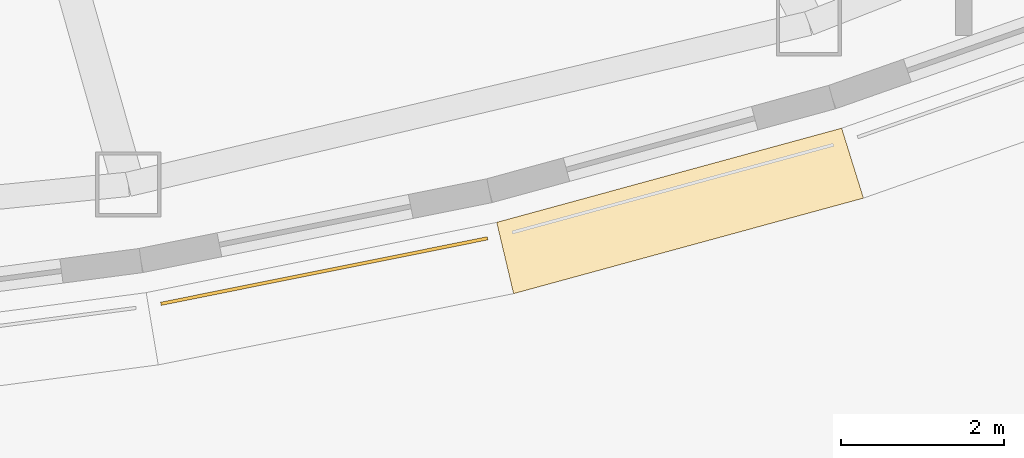
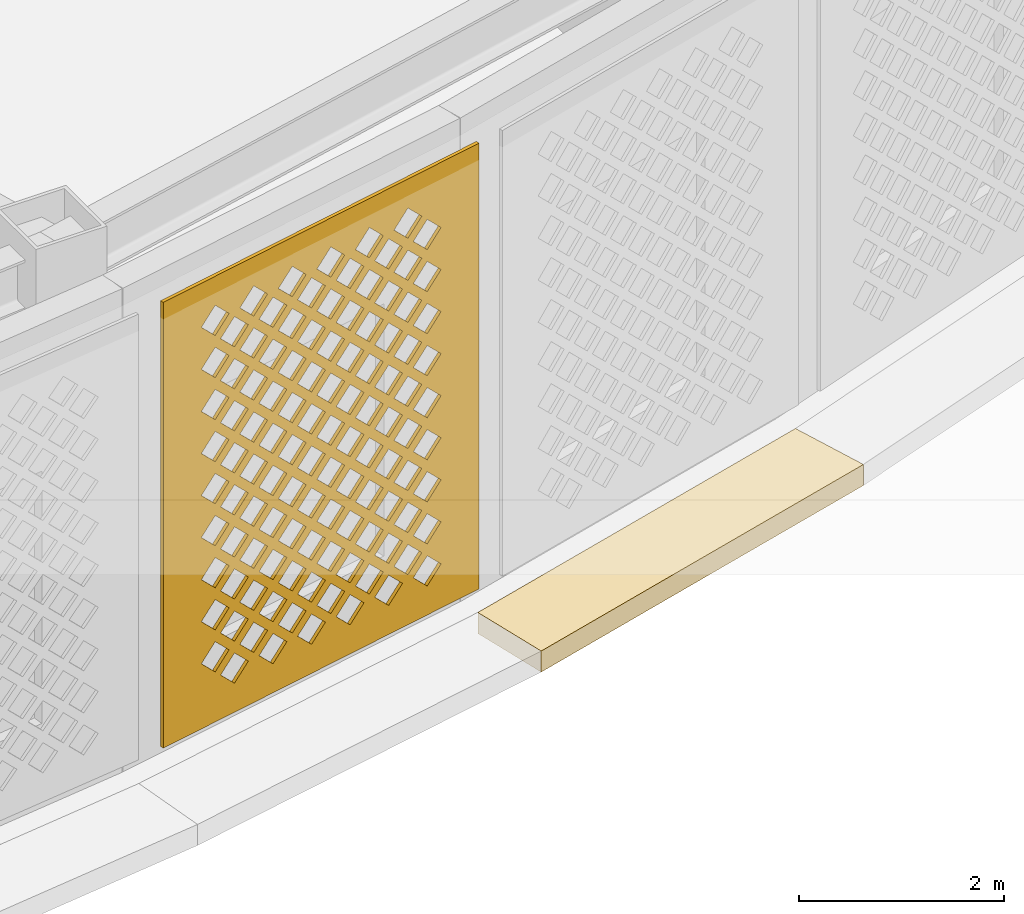
# One storey, part 60 of 74: 2 coverings.
"""IFC4 building model written with IfcOpenShell, lengths in metres."""

from ifc_helpers import new_model, si_unit, direction, frame, origin, place, context, subcontext, project, spatial, polyline, outline, extrude, material, layer, layer_set, type_object, element, save


model = new_model("IFC4")

# Units and contexts
model_context = context("Model", 3, precision=1e-05, world=origin(), true_north=direction((0.0, 1.0)))
body_context = subcontext(model_context, "Body", "Model", "MODEL_VIEW")
ifc_project = project(units=[si_unit("LENGTHUNIT", "METRE"), si_unit("AREAUNIT", "SQUARE_METRE"), si_unit("VOLUMEUNIT", "CUBIC_METRE"), si_unit("PLANEANGLEUNIT", "RADIAN"), si_unit("MASSUNIT", "GRAM", prefix="KILO")], contexts=[model_context])

# Site, building, storey
site_placement = place(None, origin())
site = spatial("IfcSite", under=ifc_project, at=site_placement, CompositionType="ELEMENT")
building_placement = place(site_placement, origin())
building = spatial("IfcBuilding", under=site, at=building_placement, Name="Noorbagh Ring Tower", CompositionType="ELEMENT")
storey_placement = place(building_placement, frame((0.0, 0.0, 7.5)))
storey = spatial("IfcBuildingStorey", under=building, at=storey_placement, Name="L01", CompositionType="ELEMENT", Elevation=7.5)

# Coverings
ifc_material_1 = material(Name="Red sandstone eave", Category="masonry")
covering_type_1 = type_object("IfcCoveringType", Name="STY-CHHAJJA", PredefinedType="USERDEFINED", material=ifc_material_1)
covering_1_placement = place(storey_placement, frame((0.0, 0.0, -0.25)))
element("IfcCovering", 1, at=covering_1_placement, inside=storey, type_object=covering_type_1, Name="Chhajja eave", ObjectType="CHHAJJA", PredefinedType="USERDEFINED", context=body_context, shape_type="SweptSolid", body=[
    extrude(outline(polyline([(15.2568359375, -38.239501953125), (19.49853515625, -37.081298828125), (19.7666015625, -37.941162109375), (15.464111328125, -39.115966796875), (15.2568359375, -38.239501953125)])), origin(), (0.0, 0.0, 1.0), 0.25),
])
ifc_material_2 = material(Name="Red sandstone jali", Category="masonry")
ifc_layer = layer(ifc_material_2, 0.0400390625)
ifc_layer_set = layer_set([ifc_layer], Name="Red sandstone jali")
covering_type_2 = type_object("IfcCoveringType", Name="STY-JALI", PredefinedType="USERDEFINED", material=ifc_layer_set)
covering_2_placement = place(storey_placement, frame((11.130126953125, -39.260498046875, 0.449951171875), z_axis=(0.196528665711, -0.980498079322, 0.0), x_axis=(0.980498079322, 0.196528665711, 0.0)))
element("IfcCovering", 2, at=covering_2_placement, inside=storey, type_object=covering_type_2, Name="Jali screen", ObjectType="SCREEN", PredefinedType="USERDEFINED", context=body_context, shape_type="SweptSolid", body=[
    extrude(outline(polyline([(0.0, 0.0), (4.096923828125, 0.0), (4.096923828125, 5.300048828125), (0.0, 5.300048828125), (0.0, 0.0)]), holes=[polyline([(0.743408203125, 0.52490234375), (0.923583984375, 0.344970703125), (1.103515625, 0.52490234375), (0.923583984375, 0.705078125), (0.743408203125, 0.52490234375)]), polyline([(1.243408203125, 0.52490234375), (1.423583984375, 0.344970703125), (1.603515625, 0.52490234375), (1.423583984375, 0.705078125), (1.243408203125, 0.52490234375)]), polyline([(1.743408203125, 0.52490234375), (1.923583984375, 0.344970703125), (2.103515625, 0.52490234375), (1.923583984375, 0.705078125), (1.743408203125, 0.52490234375)]), polyline([(2.243408203125, 0.52490234375), (2.423583984375, 0.344970703125), (2.603515625, 0.52490234375), (2.423583984375, 0.705078125), (2.243408203125, 0.52490234375)]), polyline([(2.743408203125, 0.52490234375), (2.923583984375, 0.344970703125), (3.103515625, 0.52490234375), (2.923583984375, 0.705078125), (2.743408203125, 0.52490234375)]), polyline([(3.243408203125, 0.52490234375), (3.423583984375, 0.344970703125), (3.603515625, 0.52490234375), (3.423583984375, 0.705078125), (3.243408203125, 0.52490234375)]), polyline([(0.493408203125, 0.77490234375), (0.673583984375, 0.594970703125), (0.853515625, 0.77490234375), (0.673583984375, 0.955078125), (0.493408203125, 0.77490234375)]), polyline([(0.993408203125, 0.77490234375), (1.173583984375, 0.594970703125), (1.353515625, 0.77490234375), (1.173583984375, 0.955078125), (0.993408203125, 0.77490234375)]), polyline([(1.493408203125, 0.77490234375), (1.673583984375, 0.594970703125), (1.853515625, 0.77490234375), (1.673583984375, 0.955078125), (1.493408203125, 0.77490234375)]), polyline([(1.993408203125, 0.77490234375), (2.173583984375, 0.594970703125), (2.353515625, 0.77490234375), (2.173583984375, 0.955078125), (1.993408203125, 0.77490234375)]), polyline([(2.493408203125, 0.77490234375), (2.673583984375, 0.594970703125), (2.853515625, 0.77490234375), (2.673583984375, 0.955078125), (2.493408203125, 0.77490234375)]), polyline([(2.993408203125, 0.77490234375), (3.173583984375, 0.594970703125), (3.353515625, 0.77490234375), (3.173583984375, 0.955078125), (2.993408203125, 0.77490234375)]), polyline([(0.743408203125, 1.02490234375), (0.923583984375, 0.844970703125), (1.103515625, 1.02490234375), (0.923583984375, 1.205078125), (0.743408203125, 1.02490234375)]), polyline([(1.243408203125, 1.02490234375), (1.423583984375, 0.844970703125), (1.603515625, 1.02490234375), (1.423583984375, 1.205078125), (1.243408203125, 1.02490234375)]), polyline([(1.743408203125, 1.02490234375), (1.923583984375, 0.844970703125), (2.103515625, 1.02490234375), (1.923583984375, 1.205078125), (1.743408203125, 1.02490234375)]), polyline([(2.243408203125, 1.02490234375), (2.423583984375, 0.844970703125), (2.603515625, 1.02490234375), (2.423583984375, 1.205078125), (2.243408203125, 1.02490234375)]), polyline([(2.743408203125, 1.02490234375), (2.923583984375, 0.844970703125), (3.103515625, 1.02490234375), (2.923583984375, 1.205078125), (2.743408203125, 1.02490234375)]), polyline([(3.243408203125, 1.02490234375), (3.423583984375, 0.844970703125), (3.603515625, 1.02490234375), (3.423583984375, 1.205078125), (3.243408203125, 1.02490234375)]), polyline([(0.493408203125, 1.27490234375), (0.673583984375, 1.094970703125), (0.853515625, 1.27490234375), (0.673583984375, 1.455078125), (0.493408203125, 1.27490234375)]), polyline([(0.993408203125, 1.27490234375), (1.173583984375, 1.094970703125), (1.353515625, 1.27490234375), (1.173583984375, 1.455078125), (0.993408203125, 1.27490234375)]), polyline([(1.493408203125, 1.27490234375), (1.673583984375, 1.094970703125), (1.853515625, 1.27490234375), (1.673583984375, 1.455078125), (1.493408203125, 1.27490234375)]), polyline([(1.993408203125, 1.27490234375), (2.173583984375, 1.094970703125), (2.353515625, 1.27490234375), (2.173583984375, 1.455078125), (1.993408203125, 1.27490234375)]), polyline([(2.493408203125, 1.27490234375), (2.673583984375, 1.094970703125), (2.853515625, 1.27490234375), (2.673583984375, 1.455078125), (2.493408203125, 1.27490234375)]), polyline([(2.993408203125, 1.27490234375), (3.173583984375, 1.094970703125), (3.353515625, 1.27490234375), (3.173583984375, 1.455078125), (2.993408203125, 1.27490234375)]), polyline([(0.743408203125, 1.52490234375), (0.923583984375, 1.344970703125), (1.103515625, 1.52490234375), (0.923583984375, 1.705078125), (0.743408203125, 1.52490234375)]), polyline([(1.243408203125, 1.52490234375), (1.423583984375, 1.344970703125), (1.603515625, 1.52490234375), (1.423583984375, 1.705078125), (1.243408203125, 1.52490234375)]), polyline([(1.743408203125, 1.52490234375), (1.923583984375, 1.344970703125), (2.103515625, 1.52490234375), (1.923583984375, 1.705078125), (1.743408203125, 1.52490234375)]), polyline([(2.243408203125, 1.52490234375), (2.423583984375, 1.344970703125), (2.603515625, 1.52490234375), (2.423583984375, 1.705078125), (2.243408203125, 1.52490234375)]), polyline([(2.743408203125, 1.52490234375), (2.923583984375, 1.344970703125), (3.103515625, 1.52490234375), (2.923583984375, 1.705078125), (2.743408203125, 1.52490234375)]), polyline([(3.243408203125, 1.52490234375), (3.423583984375, 1.344970703125), (3.603515625, 1.52490234375), (3.423583984375, 1.705078125), (3.243408203125, 1.52490234375)]), polyline([(0.493408203125, 1.77490234375), (0.673583984375, 1.594970703125), (0.853515625, 1.77490234375), (0.673583984375, 1.955078125), (0.493408203125, 1.77490234375)]), polyline([(0.993408203125, 1.77490234375), (1.173583984375, 1.594970703125), (1.353515625, 1.77490234375), (1.173583984375, 1.955078125), (0.993408203125, 1.77490234375)]), polyline([(1.493408203125, 1.77490234375), (1.673583984375, 1.594970703125), (1.853515625, 1.77490234375), (1.673583984375, 1.955078125), (1.493408203125, 1.77490234375)]), polyline([(1.993408203125, 1.77490234375), (2.173583984375, 1.594970703125), (2.353515625, 1.77490234375), (2.173583984375, 1.955078125), (1.993408203125, 1.77490234375)]), polyline([(2.493408203125, 1.77490234375), (2.673583984375, 1.594970703125), (2.853515625, 1.77490234375), (2.673583984375, 1.955078125), (2.493408203125, 1.77490234375)]), polyline([(2.993408203125, 1.77490234375), (3.173583984375, 1.594970703125), (3.353515625, 1.77490234375), (3.173583984375, 1.955078125), (2.993408203125, 1.77490234375)]), polyline([(0.743408203125, 2.02490234375), (0.923583984375, 1.844970703125), (1.103515625, 2.02490234375), (0.923583984375, 2.205078125), (0.743408203125, 2.02490234375)]), polyline([(1.243408203125, 2.02490234375), (1.423583984375, 1.844970703125), (1.603515625, 2.02490234375), (1.423583984375, 2.205078125), (1.243408203125, 2.02490234375)]), polyline([(1.743408203125, 2.02490234375), (1.923583984375, 1.844970703125), (2.103515625, 2.02490234375), (1.923583984375, 2.205078125), (1.743408203125, 2.02490234375)]), polyline([(2.243408203125, 2.02490234375), (2.423583984375, 1.844970703125), (2.603515625, 2.02490234375), (2.423583984375, 2.205078125), (2.243408203125, 2.02490234375)]), polyline([(2.743408203125, 2.02490234375), (2.923583984375, 1.844970703125), (3.103515625, 2.02490234375), (2.923583984375, 2.205078125), (2.743408203125, 2.02490234375)]), polyline([(3.243408203125, 2.02490234375), (3.423583984375, 1.844970703125), (3.603515625, 2.02490234375), (3.423583984375, 2.205078125), (3.243408203125, 2.02490234375)]), polyline([(0.493408203125, 2.27490234375), (0.673583984375, 2.094970703125), (0.853515625, 2.27490234375), (0.673583984375, 2.455078125), (0.493408203125, 2.27490234375)]), polyline([(0.993408203125, 2.27490234375), (1.173583984375, 2.094970703125), (1.353515625, 2.27490234375), (1.173583984375, 2.455078125), (0.993408203125, 2.27490234375)]), polyline([(1.493408203125, 2.27490234375), (1.673583984375, 2.094970703125), (1.853515625, 2.27490234375), (1.673583984375, 2.455078125), (1.493408203125, 2.27490234375)]), polyline([(1.993408203125, 2.27490234375), (2.173583984375, 2.094970703125), (2.353515625, 2.27490234375), (2.173583984375, 2.455078125), (1.993408203125, 2.27490234375)]), polyline([(2.493408203125, 2.27490234375), (2.673583984375, 2.094970703125), (2.853515625, 2.27490234375), (2.673583984375, 2.455078125), (2.493408203125, 2.27490234375)]), polyline([(2.993408203125, 2.27490234375), (3.173583984375, 2.094970703125), (3.353515625, 2.27490234375), (3.173583984375, 2.455078125), (2.993408203125, 2.27490234375)]), polyline([(0.743408203125, 2.52490234375), (0.923583984375, 2.344970703125), (1.103515625, 2.52490234375), (0.923583984375, 2.705078125), (0.743408203125, 2.52490234375)]), polyline([(1.243408203125, 2.52490234375), (1.423583984375, 2.344970703125), (1.603515625, 2.52490234375), (1.423583984375, 2.705078125), (1.243408203125, 2.52490234375)]), polyline([(1.743408203125, 2.52490234375), (1.923583984375, 2.344970703125), (2.103515625, 2.52490234375), (1.923583984375, 2.705078125), (1.743408203125, 2.52490234375)]), polyline([(2.243408203125, 2.52490234375), (2.423583984375, 2.344970703125), (2.603515625, 2.52490234375), (2.423583984375, 2.705078125), (2.243408203125, 2.52490234375)]), polyline([(2.743408203125, 2.52490234375), (2.923583984375, 2.344970703125), (3.103515625, 2.52490234375), (2.923583984375, 2.705078125), (2.743408203125, 2.52490234375)]), polyline([(3.243408203125, 2.52490234375), (3.423583984375, 2.344970703125), (3.603515625, 2.52490234375), (3.423583984375, 2.705078125), (3.243408203125, 2.52490234375)]), polyline([(0.493408203125, 2.77490234375), (0.673583984375, 2.594970703125), (0.853515625, 2.77490234375), (0.673583984375, 2.955078125), (0.493408203125, 2.77490234375)]), polyline([(0.993408203125, 2.77490234375), (1.173583984375, 2.594970703125), (1.353515625, 2.77490234375), (1.173583984375, 2.955078125), (0.993408203125, 2.77490234375)]), polyline([(1.493408203125, 2.77490234375), (1.673583984375, 2.594970703125), (1.853515625, 2.77490234375), (1.673583984375, 2.955078125), (1.493408203125, 2.77490234375)]), polyline([(1.993408203125, 2.77490234375), (2.173583984375, 2.594970703125), (2.353515625, 2.77490234375), (2.173583984375, 2.955078125), (1.993408203125, 2.77490234375)]), polyline([(2.493408203125, 2.77490234375), (2.673583984375, 2.594970703125), (2.853515625, 2.77490234375), (2.673583984375, 2.955078125), (2.493408203125, 2.77490234375)]), polyline([(2.993408203125, 2.77490234375), (3.173583984375, 2.594970703125), (3.353515625, 2.77490234375), (3.173583984375, 2.955078125), (2.993408203125, 2.77490234375)]), polyline([(0.743408203125, 3.02490234375), (0.923583984375, 2.844970703125), (1.103515625, 3.02490234375), (0.923583984375, 3.205078125), (0.743408203125, 3.02490234375)]), polyline([(1.243408203125, 3.02490234375), (1.423583984375, 2.844970703125), (1.603515625, 3.02490234375), (1.423583984375, 3.205078125), (1.243408203125, 3.02490234375)]), polyline([(1.743408203125, 3.02490234375), (1.923583984375, 2.844970703125), (2.103515625, 3.02490234375), (1.923583984375, 3.205078125), (1.743408203125, 3.02490234375)]), polyline([(2.243408203125, 3.02490234375), (2.423583984375, 2.844970703125), (2.603515625, 3.02490234375), (2.423583984375, 3.205078125), (2.243408203125, 3.02490234375)]), polyline([(2.743408203125, 3.02490234375), (2.923583984375, 2.844970703125), (3.103515625, 3.02490234375), (2.923583984375, 3.205078125), (2.743408203125, 3.02490234375)]), polyline([(3.243408203125, 3.02490234375), (3.423583984375, 2.844970703125), (3.603515625, 3.02490234375), (3.423583984375, 3.205078125), (3.243408203125, 3.02490234375)]), polyline([(0.493408203125, 3.27490234375), (0.673583984375, 3.094970703125), (0.853515625, 3.27490234375), (0.673583984375, 3.455078125), (0.493408203125, 3.27490234375)]), polyline([(0.993408203125, 3.27490234375), (1.173583984375, 3.094970703125), (1.353515625, 3.27490234375), (1.173583984375, 3.455078125), (0.993408203125, 3.27490234375)]), polyline([(1.493408203125, 3.27490234375), (1.673583984375, 3.094970703125), (1.853515625, 3.27490234375), (1.673583984375, 3.455078125), (1.493408203125, 3.27490234375)]), polyline([(1.993408203125, 3.27490234375), (2.173583984375, 3.094970703125), (2.353515625, 3.27490234375), (2.173583984375, 3.455078125), (1.993408203125, 3.27490234375)]), polyline([(2.493408203125, 3.27490234375), (2.673583984375, 3.094970703125), (2.853515625, 3.27490234375), (2.673583984375, 3.455078125), (2.493408203125, 3.27490234375)]), polyline([(2.993408203125, 3.27490234375), (3.173583984375, 3.094970703125), (3.353515625, 3.27490234375), (3.173583984375, 3.455078125), (2.993408203125, 3.27490234375)]), polyline([(0.743408203125, 3.52490234375), (0.923583984375, 3.344970703125), (1.103515625, 3.52490234375), (0.923583984375, 3.705078125), (0.743408203125, 3.52490234375)]), polyline([(1.243408203125, 3.52490234375), (1.423583984375, 3.344970703125), (1.603515625, 3.52490234375), (1.423583984375, 3.705078125), (1.243408203125, 3.52490234375)]), polyline([(1.743408203125, 3.52490234375), (1.923583984375, 3.344970703125), (2.103515625, 3.52490234375), (1.923583984375, 3.705078125), (1.743408203125, 3.52490234375)]), polyline([(2.243408203125, 3.52490234375), (2.423583984375, 3.344970703125), (2.603515625, 3.52490234375), (2.423583984375, 3.705078125), (2.243408203125, 3.52490234375)]), polyline([(2.743408203125, 3.52490234375), (2.923583984375, 3.344970703125), (3.103515625, 3.52490234375), (2.923583984375, 3.705078125), (2.743408203125, 3.52490234375)]), polyline([(3.243408203125, 3.52490234375), (3.423583984375, 3.344970703125), (3.603515625, 3.52490234375), (3.423583984375, 3.705078125), (3.243408203125, 3.52490234375)]), polyline([(0.493408203125, 3.77490234375), (0.673583984375, 3.594970703125), (0.853515625, 3.77490234375), (0.673583984375, 3.955078125), (0.493408203125, 3.77490234375)]), polyline([(0.993408203125, 3.77490234375), (1.173583984375, 3.594970703125), (1.353515625, 3.77490234375), (1.173583984375, 3.955078125), (0.993408203125, 3.77490234375)]), polyline([(1.493408203125, 3.77490234375), (1.673583984375, 3.594970703125), (1.853515625, 3.77490234375), (1.673583984375, 3.955078125), (1.493408203125, 3.77490234375)]), polyline([(1.993408203125, 3.77490234375), (2.173583984375, 3.594970703125), (2.353515625, 3.77490234375), (2.173583984375, 3.955078125), (1.993408203125, 3.77490234375)]), polyline([(2.493408203125, 3.77490234375), (2.673583984375, 3.594970703125), (2.853515625, 3.77490234375), (2.673583984375, 3.955078125), (2.493408203125, 3.77490234375)]), polyline([(2.993408203125, 3.77490234375), (3.173583984375, 3.594970703125), (3.353515625, 3.77490234375), (3.173583984375, 3.955078125), (2.993408203125, 3.77490234375)]), polyline([(0.743408203125, 4.02490234375), (0.923583984375, 3.844970703125), (1.103515625, 4.02490234375), (0.923583984375, 4.205078125), (0.743408203125, 4.02490234375)]), polyline([(1.243408203125, 4.02490234375), (1.423583984375, 3.844970703125), (1.603515625, 4.02490234375), (1.423583984375, 4.205078125), (1.243408203125, 4.02490234375)]), polyline([(1.743408203125, 4.02490234375), (1.923583984375, 3.844970703125), (2.103515625, 4.02490234375), (1.923583984375, 4.205078125), (1.743408203125, 4.02490234375)]), polyline([(2.243408203125, 4.02490234375), (2.423583984375, 3.844970703125), (2.603515625, 4.02490234375), (2.423583984375, 4.205078125), (2.243408203125, 4.02490234375)]), polyline([(2.743408203125, 4.02490234375), (2.923583984375, 3.844970703125), (3.103515625, 4.02490234375), (2.923583984375, 4.205078125), (2.743408203125, 4.02490234375)]), polyline([(3.243408203125, 4.02490234375), (3.423583984375, 3.844970703125), (3.603515625, 4.02490234375), (3.423583984375, 4.205078125), (3.243408203125, 4.02490234375)]), polyline([(0.493408203125, 4.27490234375), (0.673583984375, 4.094970703125), (0.853515625, 4.27490234375), (0.673583984375, 4.455078125), (0.493408203125, 4.27490234375)]), polyline([(0.993408203125, 4.27490234375), (1.173583984375, 4.094970703125), (1.353515625, 4.27490234375), (1.173583984375, 4.455078125), (0.993408203125, 4.27490234375)]), polyline([(1.493408203125, 4.27490234375), (1.673583984375, 4.094970703125), (1.853515625, 4.27490234375), (1.673583984375, 4.455078125), (1.493408203125, 4.27490234375)]), polyline([(1.993408203125, 4.27490234375), (2.173583984375, 4.094970703125), (2.353515625, 4.27490234375), (2.173583984375, 4.455078125), (1.993408203125, 4.27490234375)]), polyline([(2.493408203125, 4.27490234375), (2.673583984375, 4.094970703125), (2.853515625, 4.27490234375), (2.673583984375, 4.455078125), (2.493408203125, 4.27490234375)]), polyline([(2.993408203125, 4.27490234375), (3.173583984375, 4.094970703125), (3.353515625, 4.27490234375), (3.173583984375, 4.455078125), (2.993408203125, 4.27490234375)]), polyline([(0.743408203125, 4.52490234375), (0.923583984375, 4.344970703125), (1.103515625, 4.52490234375), (0.923583984375, 4.705078125), (0.743408203125, 4.52490234375)]), polyline([(1.243408203125, 4.52490234375), (1.423583984375, 4.344970703125), (1.603515625, 4.52490234375), (1.423583984375, 4.705078125), (1.243408203125, 4.52490234375)]), polyline([(1.743408203125, 4.52490234375), (1.923583984375, 4.344970703125), (2.103515625, 4.52490234375), (1.923583984375, 4.705078125), (1.743408203125, 4.52490234375)]), polyline([(2.243408203125, 4.52490234375), (2.423583984375, 4.344970703125), (2.603515625, 4.52490234375), (2.423583984375, 4.705078125), (2.243408203125, 4.52490234375)]), polyline([(2.743408203125, 4.52490234375), (2.923583984375, 4.344970703125), (3.103515625, 4.52490234375), (2.923583984375, 4.705078125), (2.743408203125, 4.52490234375)]), polyline([(3.243408203125, 4.52490234375), (3.423583984375, 4.344970703125), (3.603515625, 4.52490234375), (3.423583984375, 4.705078125), (3.243408203125, 4.52490234375)]), polyline([(0.493408203125, 4.77490234375), (0.673583984375, 4.594970703125), (0.853515625, 4.77490234375), (0.673583984375, 4.955078125), (0.493408203125, 4.77490234375)]), polyline([(0.993408203125, 4.77490234375), (1.173583984375, 4.594970703125), (1.353515625, 4.77490234375), (1.173583984375, 4.955078125), (0.993408203125, 4.77490234375)]), polyline([(1.493408203125, 4.77490234375), (1.673583984375, 4.594970703125), (1.853515625, 4.77490234375), (1.673583984375, 4.955078125), (1.493408203125, 4.77490234375)]), polyline([(1.993408203125, 4.77490234375), (2.173583984375, 4.594970703125), (2.353515625, 4.77490234375), (2.173583984375, 4.955078125), (1.993408203125, 4.77490234375)]), polyline([(2.493408203125, 4.77490234375), (2.673583984375, 4.594970703125), (2.853515625, 4.77490234375), (2.673583984375, 4.955078125), (2.493408203125, 4.77490234375)]), polyline([(2.993408203125, 4.77490234375), (3.173583984375, 4.594970703125), (3.353515625, 4.77490234375), (3.173583984375, 4.955078125), (2.993408203125, 4.77490234375)])]), origin(), (0.0, 0.0, -1.0), 0.0400390625),
])

save(model, "model.ifc")
